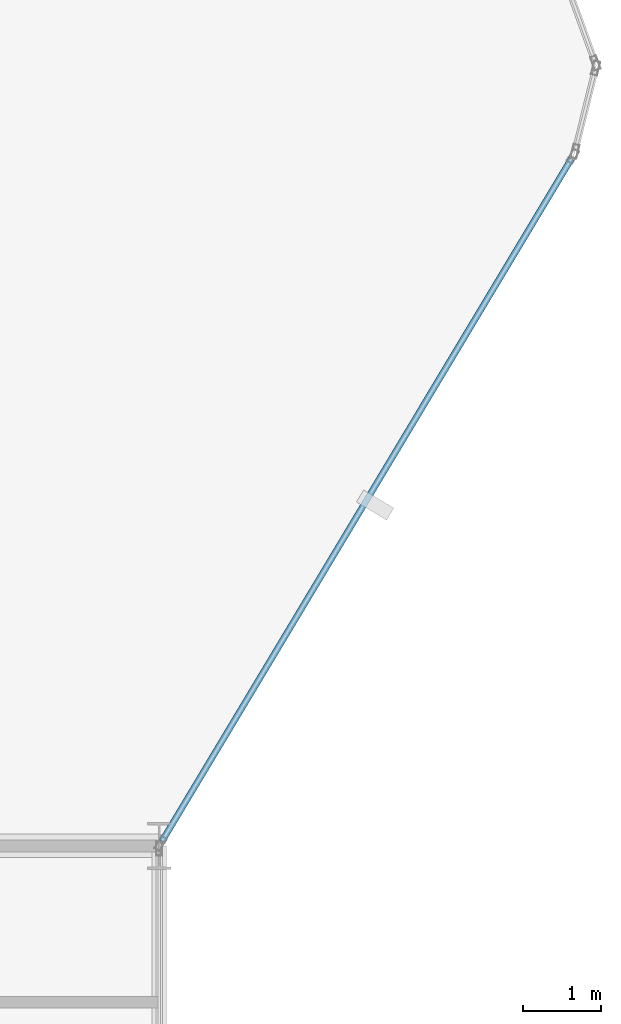
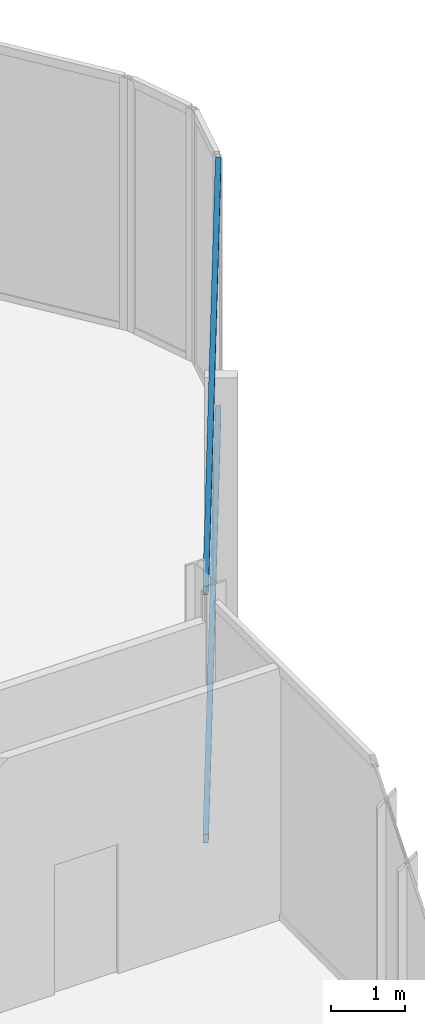
# One storey, part 13 of 31: 2 members, 1 element without a shape of its own.
"""IFC4 building model written with IfcOpenShell, lengths in metres."""

from ifc_helpers import new_model, si_unit, direction, frame, origin, origin_2d, place, context, subcontext, project, spatial, hollow_rectangle, extrude, material, layer, layer_set, material_profile, profile_set, type_object, element, aggregate, save


model = new_model("IFC4")

# Units and contexts
model_context = context("Model", 3, precision=1e-05, world=origin(), true_north=direction((0.0, 1.0)))
body_context = subcontext(model_context, "Body", "Model", "MODEL_VIEW")
ifc_project = project(units=[si_unit("LENGTHUNIT", "METRE"), si_unit("AREAUNIT", "SQUARE_METRE"), si_unit("VOLUMEUNIT", "CUBIC_METRE"), si_unit("PLANEANGLEUNIT", "RADIAN"), si_unit("MASSUNIT", "GRAM", prefix="KILO")], contexts=[model_context])

# Site, building, storey
site_placement = place(None, origin())
site = spatial("IfcSite", under=ifc_project, at=site_placement, CompositionType="ELEMENT")
building_placement = place(site_placement, origin())
building = spatial("IfcBuilding", under=site, at=building_placement, Name="Keshet Zoharim Tower", CompositionType="ELEMENT")
storey_placement = place(building_placement, frame((0.0, 0.0, 125.300048828125)))
storey = spatial("IfcBuildingStorey", under=building, at=storey_placement, Name="L30", CompositionType="ELEMENT", Elevation=125.300048828125)

# Curtain wall, members
ifc_material = material(Name="Aluminium 6063-T6", Category="aluminium")
ifc_layer = layer(ifc_material, 0.14990234375)
ifc_layer_set = layer_set([ifc_layer], Name="Aluminium 6063-T6")
curtain_wall_type = type_object("IfcCurtainWallType", Name="CW-SYS-04", PredefinedType="NOTDEFINED", material=ifc_layer_set)
curtain_wall_placement = place(storey_placement, origin())
curtain_wall = element("IfcCurtainWall", 1, at=curtain_wall_placement, inside=storey, type_object=curtain_wall_type, Name="L30 Unitised Curtain Wall 05", PredefinedType="NOTDEFINED")
ifc_material_profile = material_profile(ifc_material, hollow_rectangle(XDim=0.080078125, YDim=0.139892578125, WallThickness=0.00390625, at=origin_2d()), Name="TRN-80x140")
ifc_profile_set = profile_set([ifc_material_profile], Name="Aluminium 6063-T6")
member_type = type_object("IfcMemberType", Name="CWT-T14", PredefinedType="USERDEFINED", material=ifc_profile_set)
member_1_placement = place(storey_placement, frame((62.27197265625, 36.68701171875, 0.034912109375), z_axis=(-0.514467532827, -0.857509858641, 0.0), x_axis=(0.857509858641, -0.514467532827, 0.0)))
member_1 = element("IfcMember", 2, at=member_1_placement, type_object=member_type, Name="CW-04 transom 1.1", ObjectType="TRANSOM", PredefinedType="USERDEFINED", context=body_context, shape_type="SweptSolid", body=[
    extrude(hollow_rectangle(XDim=0.080078125, YDim=0.139892578125, WallThickness=0.00390625, at=origin_2d()), origin(), (0.0, 0.0, 1.0), 10.17724609375),
])
member_2_placement = place(storey_placement, frame((62.27197265625, 36.68701171875, 4.14990234375), z_axis=(-0.514467532827, -0.857509858641, 0.0), x_axis=(0.857509858641, -0.514467532827, 0.0)))
member_2 = element("IfcMember", 3, at=member_2_placement, type_object=member_type, Name="CW-04 transom 1.2", ObjectType="TRANSOM", PredefinedType="USERDEFINED", context=body_context, shape_type="SweptSolid", body=[
    extrude(hollow_rectangle(XDim=0.080078125, YDim=0.139892578125, WallThickness=0.00390625, at=origin_2d()), origin(), (0.0, 0.0, 1.0), 10.17724609375),
])
aggregate(curtain_wall, [member_1, member_2])

save(model, "model.ifc")
